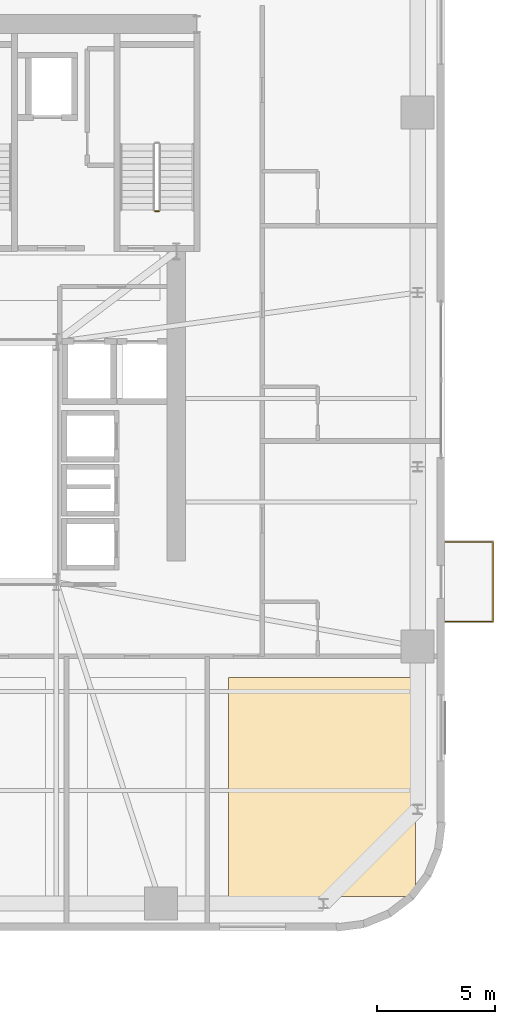
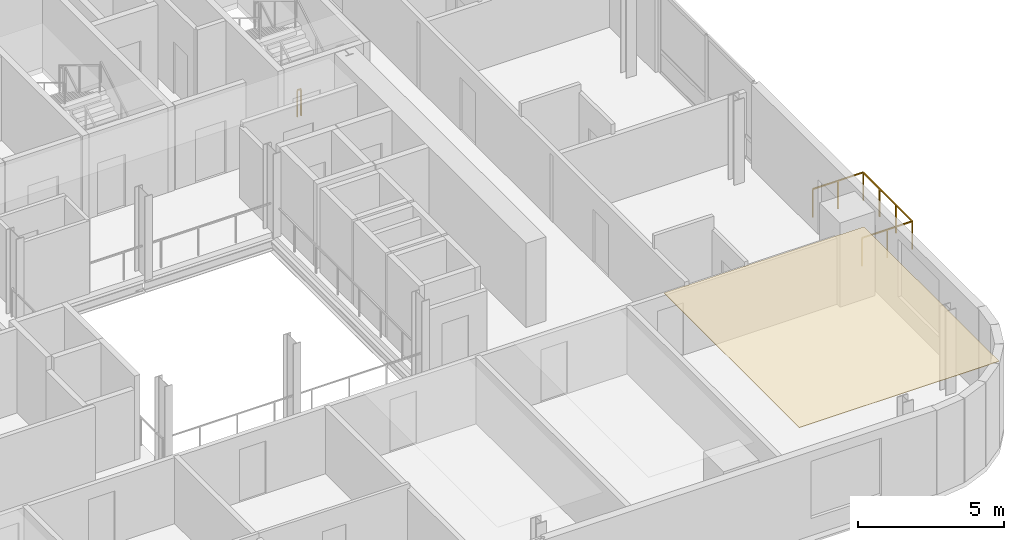
# One storey, part 14 of 16: 2 railings, 1 covering.
"""IFC4 building model written with IfcOpenShell, lengths in metres."""

from ifc_helpers import new_model, si_unit, direction, frame, origin, origin_2d, place, context, subcontext, project, spatial, polyline, rectangle, outline, extrude, source, transform, mapped, material, layer, layer_set, type_object, element, save


model = new_model("IFC4")

# Units and contexts
model_context = context("Model", 3, precision=1e-05, world=origin(), true_north=direction((0.0, 1.0)))
body_context = subcontext(model_context, "Body", "Model", "MODEL_VIEW")
ifc_project = project(units=[si_unit("LENGTHUNIT", "METRE"), si_unit("AREAUNIT", "SQUARE_METRE"), si_unit("VOLUMEUNIT", "CUBIC_METRE"), si_unit("PLANEANGLEUNIT", "RADIAN"), si_unit("MASSUNIT", "GRAM", prefix="KILO")], contexts=[model_context])

# Site, building, storey
site_placement = place(None, origin())
site = spatial("IfcSite", under=ifc_project, at=site_placement, CompositionType="ELEMENT")
building_placement = place(site_placement, origin())
building = spatial("IfcBuilding", under=site, at=building_placement, Name="Vardaveli Station Tower", CompositionType="ELEMENT")
storey_placement = place(building_placement, frame((0.0, 0.0, 203.550048828125)))
storey = spatial("IfcBuildingStorey", under=building, at=storey_placement, Name="L52", CompositionType="ELEMENT", Elevation=203.550048828125)

# Covering
ifc_material_1 = material(Name="Perforated acoustic mineral ceiling")
ifc_layer = layer(ifc_material_1, 0.02001953125, Name="Perforated acoustic mineral ceiling")
ifc_layer_set = layer_set([ifc_layer], Name="Perforated acoustic mineral ceiling")
covering_type = type_object("IfcCoveringType", Name="COV-CEIL-AC20", PredefinedType="CEILING", material=ifc_layer_set)
covering_placement = place(storey_placement, frame((0.0, 0.0, 3.514892578125)))
element("IfcCovering", 1, at=covering_placement, inside=storey, type_object=covering_type, Name="CEIL-L52-4", PredefinedType="CEILING", context=body_context, shape_type="SweptSolid", body=[
    extrude(outline(polyline([(48.719970703125, 3.25), (56.64990234375, 3.25), (56.64990234375, 12.550048828125), (48.719970703125, 12.550048828125), (48.719970703125, 3.25)])), origin(), (0.0, 0.0, 1.0), 0.02001953125),
])

# Railings
ifc_material_2 = material(Name="Laminated glass and stainless steel balustrade", Category="steel")
railing_type_1 = type_object("IfcRailingType", Name="RL-BAL-1200", PredefinedType="BALUSTRADE", material=ifc_material_2)
shared_shape_1 = source(origin(), body_context, "Body", "SweptSolid", [
    extrude(rectangle(XDim=0.048095703125, YDim=0.048095703125, at=origin_2d()), frame((0.0, 0.0, 1.17578125), z_axis=(1.0, 0.0, 0.0), x_axis=(0.0, 1.0, 0.0)), (0.0, 0.0, 1.0), 2.0),
    extrude(rectangle(XDim=0.048095703125, YDim=0.048095703125, at=origin_2d()), frame((2.0, 0.0, 1.17578125), z_axis=(0.0, 1.0, 0.0), x_axis=(-1.0, 0.0, 0.0)), (0.0, 0.0, 1.0), 3.3798828125),
    extrude(rectangle(XDim=0.048095703125, YDim=0.048095703125, at=origin_2d()), frame((2.0, 3.3798828125, 1.17578125), z_axis=(-1.0, 0.0, 0.0), x_axis=(0.0, -1.0, 0.0)), (0.0, 0.0, 1.0), 2.0),
    extrude(rectangle(XDim=0.0419921875, YDim=0.0419921875, at=origin_2d()), origin(), (0.0, 0.0, 1.0), 1.15185546875),
    extrude(rectangle(XDim=0.0419921875, YDim=0.0419921875, at=origin_2d()), frame((1.0, 0.0, 0.0)), (0.0, 0.0, 1.0), 1.15185546875),
    extrude(rectangle(XDim=0.0419921875, YDim=0.0419921875, at=origin_2d()), frame((2.0, 0.0, 0.0)), (0.0, 0.0, 1.0), 1.15185546875),
    extrude(rectangle(XDim=0.0419921875, YDim=0.0419921875, at=origin_2d()), frame((2.0, 1.126708984375, 0.0)), (0.0, 0.0, 1.0), 1.15185546875),
    extrude(rectangle(XDim=0.0419921875, YDim=0.0419921875, at=origin_2d()), frame((2.0, 2.253173828125, 0.0)), (0.0, 0.0, 1.0), 1.15185546875),
    extrude(rectangle(XDim=0.0419921875, YDim=0.0419921875, at=origin_2d()), frame((2.0, 3.3798828125, 0.0)), (0.0, 0.0, 1.0), 1.15185546875),
    extrude(rectangle(XDim=0.0419921875, YDim=0.0419921875, at=origin_2d()), frame((1.0, 3.3798828125, 0.0)), (0.0, 0.0, 1.0), 1.15185546875),
    extrude(rectangle(XDim=0.0419921875, YDim=0.0419921875, at=origin_2d()), frame((0.0, 3.3798828125, 0.0)), (0.0, 0.0, 1.0), 1.15185546875),
])
railing_1_placement = place(storey_placement, frame((57.93994140625, 14.92041015625, 0.0)))
element("IfcRailing", 2, at=railing_1_placement, inside=storey, type_object=railing_type_1, Name="RL-LOG-L52-04", PredefinedType="BALUSTRADE", context=body_context, shape_type="MappedRepresentation", body=[
    mapped(shared_shape_1, transform((0.0, 0.0, 0.0), scale=1.0)),
])
ifc_material_3 = material(Name="Brushed AISI 316 stainless steel", Category="steel")
railing_type_2 = type_object("IfcRailingType", Name="RL-GUARD-1150", PredefinedType="GUARDRAIL", material=ifc_material_3)
shared_shape_2 = source(origin(), body_context, "Body", "SweptSolid", [
    extrude(rectangle(XDim=0.048095703125, YDim=0.048095703125, at=origin_2d()), frame((0.0, 0.0, 1.1259765625), z_axis=(-1.0, 0.0, 0.0), x_axis=(0.0, -1.0, 0.0)), (0.0, 0.0, 1.0), 0.14990234375),
    extrude(rectangle(XDim=0.0419921875, YDim=0.0419921875, at=origin_2d()), origin(), (0.0, 0.0, 1.0), 1.101806640625),
    extrude(rectangle(XDim=0.0419921875, YDim=0.0419921875, at=origin_2d()), frame((-0.14990234375, 0.0, 0.0)), (0.0, 0.0, 1.0), 1.101806640625),
])
railing_2_placement = place(storey_placement, frame((45.75, 32.35009765625, 0.0)))
element("IfcRailing", 3, at=railing_2_placement, inside=storey, type_object=railing_type_2, Name="L52 ST-3 stair guard 4", PredefinedType="GUARDRAIL", context=body_context, shape_type="MappedRepresentation", body=[
    mapped(shared_shape_2, transform((0.0, 0.0, 0.0), scale=1.0)),
])

save(model, "model.ifc")
